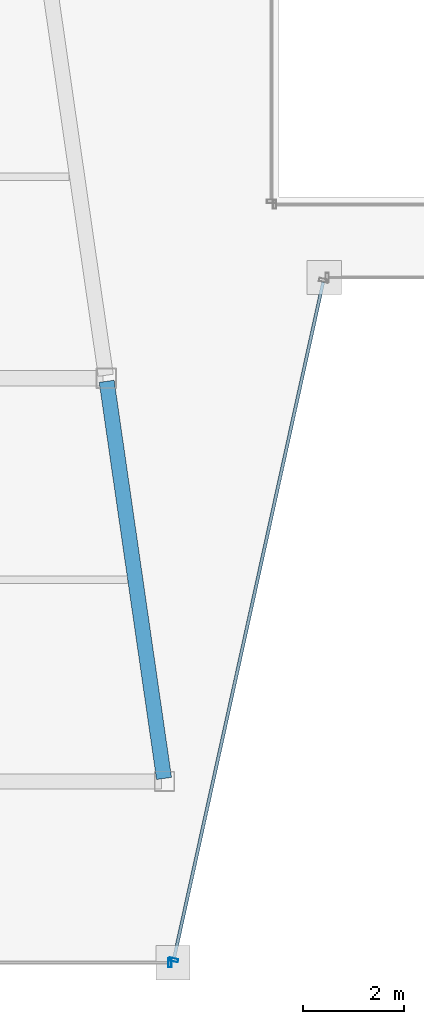
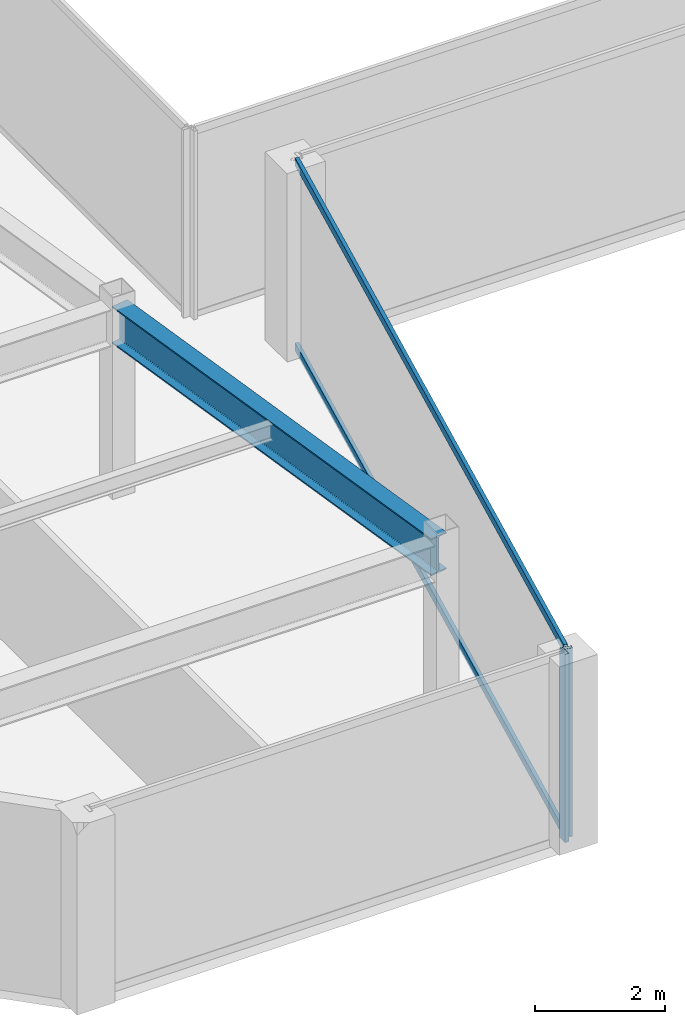
# One storey, part 6 of 36: 4 members, 1 beam, 2 elements without a shape of their own.
"""IFC4 building model written with IfcOpenShell, lengths in metres."""

from ifc_helpers import new_model, si_unit, direction, frame, origin, origin_2d, place, context, subcontext, project, spatial, hollow_rectangle, i_section, extrude, material, material_profile, profile_set, type_object, element, aggregate, save


model = new_model("IFC4")

# Units and contexts
model_context = context("Model", 3, precision=1e-05, world=origin(), true_north=direction((0.0, 1.0)))
body_context = subcontext(model_context, "Body", "Model", "MODEL_VIEW")
ifc_project = project(units=[si_unit("LENGTHUNIT", "METRE"), si_unit("AREAUNIT", "SQUARE_METRE"), si_unit("VOLUMEUNIT", "CUBIC_METRE"), si_unit("PLANEANGLEUNIT", "RADIAN"), si_unit("MASSUNIT", "GRAM", prefix="KILO")], contexts=[model_context])

# Site, building, storey
site_placement = place(None, origin())
site = spatial("IfcSite", under=ifc_project, at=site_placement, CompositionType="ELEMENT")
building_placement = place(site_placement, origin())
building = spatial("IfcBuilding", under=site, at=building_placement, Name="Saevonmaru Cultural Tower", CompositionType="ELEMENT")
storey_placement = place(building_placement, frame((0.0, 0.0, 205.60009765625)))
storey = spatial("IfcBuildingStorey", under=building, at=storey_placement, Name="L47", CompositionType="ELEMENT", Elevation=205.60009765625)

# Beam
ifc_material_1 = material(Name="Steel SM355", Category="steel")
ifc_material_profile_1 = material_profile(ifc_material_1, i_section(OverallWidth=0.300048828125, OverallDepth=0.699951171875, WebThickness=0.012939453125, FlangeThickness=0.02392578125, FilletRadius=0.02587890625, at=origin_2d()), Name="H-700x300x13x24")
ifc_profile_set_1 = profile_set([ifc_material_profile_1], Name="Steel SM355")
beam_type = type_object("IfcBeamType", Name="BM-G-H700", PredefinedType="BEAM", material=ifc_profile_set_1)
beam_placement = place(storey_placement, frame((21.91943359375, 16.059326171875, 3.199951171875), z_axis=(-0.143022161059, 0.989719486241, 0.0), x_axis=(-0.989719486241, -0.143022161059, 0.0)))
element("IfcBeam", 1, at=beam_placement, inside=storey, type_object=beam_type, Name="L47 West Atrium Girder 1", PredefinedType="BEAM", context=body_context, shape_type="SweptSolid", body=[
    extrude(i_section(OverallWidth=0.300048828125, OverallDepth=0.699951171875, WebThickness=0.012939453125, FlangeThickness=0.02392578125, FilletRadius=0.02587890625, at=origin_2d()), origin(), (0.0, 0.0, 1.0), 7.963134765625),
])

# Curtain wall, member
ifc_material_2 = material(Name="Satin Bronze Anodised Aluminium", Category="aluminium")
curtain_wall_type = type_object("IfcCurtainWallType", Name="CW-TYP-B", PredefinedType="NOTDEFINED", material=ifc_material_2)
curtain_wall_1_placement = place(storey_placement, origin())
curtain_wall_1 = element("IfcCurtainWall", 2, at=curtain_wall_1_placement, inside=storey, type_object=curtain_wall_type, Name="L47 Unitised Curtain Wall E2", PredefinedType="NOTDEFINED")
ifc_material_profile_2 = material_profile(ifc_material_2, hollow_rectangle(XDim=0.06494140625, YDim=0.179931640625, WallThickness=0.00390625, at=origin_2d()), Name="ALU-MULL-180x65x4")
ifc_profile_set_2 = profile_set([ifc_material_profile_2], Name="Satin Bronze Anodised Aluminium")
member_type_1 = type_object("IfcMemberType", Name="ML-CW-180x65", PredefinedType="MULLION", material=ifc_profile_set_2)
member_1_placement = place(storey_placement, frame((22.037841796875, 12.39990234375, 0.0), z_axis=(0.0, 0.0, 1.0), x_axis=(1.0, 0.0, 0.0)))
member_1 = element("IfcMember", 3, at=member_1_placement, type_object=member_type_1, Name="CW-TW-L47-E2 mullion 2", PredefinedType="MULLION", context=body_context, shape_type="SweptSolid", body=[
    extrude(hollow_rectangle(XDim=0.06494140625, YDim=0.179931640625, WallThickness=0.00390625, at=origin_2d()), origin(), (0.0, 0.0, 1.0), 3.5498046875),
])
aggregate(curtain_wall_1, [member_1])

# Curtain wall, members
curtain_wall_2_placement = place(storey_placement, origin())
curtain_wall_2 = element("IfcCurtainWall", 4, at=curtain_wall_2_placement, inside=storey, type_object=curtain_wall_type, Name="L47 Unitised Curtain Wall E3", PredefinedType="NOTDEFINED")
member_2_placement = place(storey_placement, frame((22.110595703125, 12.45849609375, 0.0), z_axis=(0.0, 0.0, 1.0), x_axis=(0.215413319953, 0.976522965212, 0.0)))
member_2 = element("IfcMember", 5, at=member_2_placement, type_object=member_type_1, Name="CW-TW-L47-E3 mullion 1", PredefinedType="MULLION", context=body_context, shape_type="SweptSolid", body=[
    extrude(hollow_rectangle(XDim=0.06494140625, YDim=0.179931640625, WallThickness=0.00390625, at=origin_2d()), origin(), (0.0, 0.0, 1.0), 3.5498046875),
])
ifc_material_profile_3 = material_profile(ifc_material_2, hollow_rectangle(XDim=0.06494140625, YDim=0.14990234375, WallThickness=0.00390625, at=origin_2d()), Name="ALU-TRAN-150x65x4")
ifc_profile_set_3 = profile_set([ifc_material_profile_3], Name="Satin Bronze Anodised Aluminium")
member_type_2 = type_object("IfcMemberType", Name="TR-CW-150x65", PredefinedType="USERDEFINED", material=ifc_profile_set_3)
member_3_placement = place(storey_placement, frame((22.11767578125, 12.490234375, 0.032470703125), z_axis=(0.21541214732, 0.976523223885, 0.0), x_axis=(-0.976523223885, 0.21541214732, 0.0)))
member_3 = element("IfcMember", 6, at=member_3_placement, type_object=member_type_2, Name="CW-TW-L47-E3 transom 1.1", ObjectType="TRANSOM", PredefinedType="USERDEFINED", context=body_context, shape_type="SweptSolid", body=[
    extrude(hollow_rectangle(XDim=0.06494140625, YDim=0.14990234375, WallThickness=0.00390625, at=origin_2d()), origin(), (0.0, 0.0, 1.0), 13.741943359375),
])
member_4_placement = place(storey_placement, frame((22.11767578125, 12.490234375, 3.517333984375), z_axis=(0.21541214732, 0.976523223885, 0.0), x_axis=(-0.976523223885, 0.21541214732, 0.0)))
member_4 = element("IfcMember", 7, at=member_4_placement, type_object=member_type_2, Name="CW-TW-L47-E3 transom 1.2", ObjectType="TRANSOM", PredefinedType="USERDEFINED", context=body_context, shape_type="SweptSolid", body=[
    extrude(hollow_rectangle(XDim=0.06494140625, YDim=0.14990234375, WallThickness=0.00390625, at=origin_2d()), origin(), (0.0, 0.0, 1.0), 13.741943359375),
])
aggregate(curtain_wall_2, [member_2, member_3, member_4])

save(model, "model.ifc")
